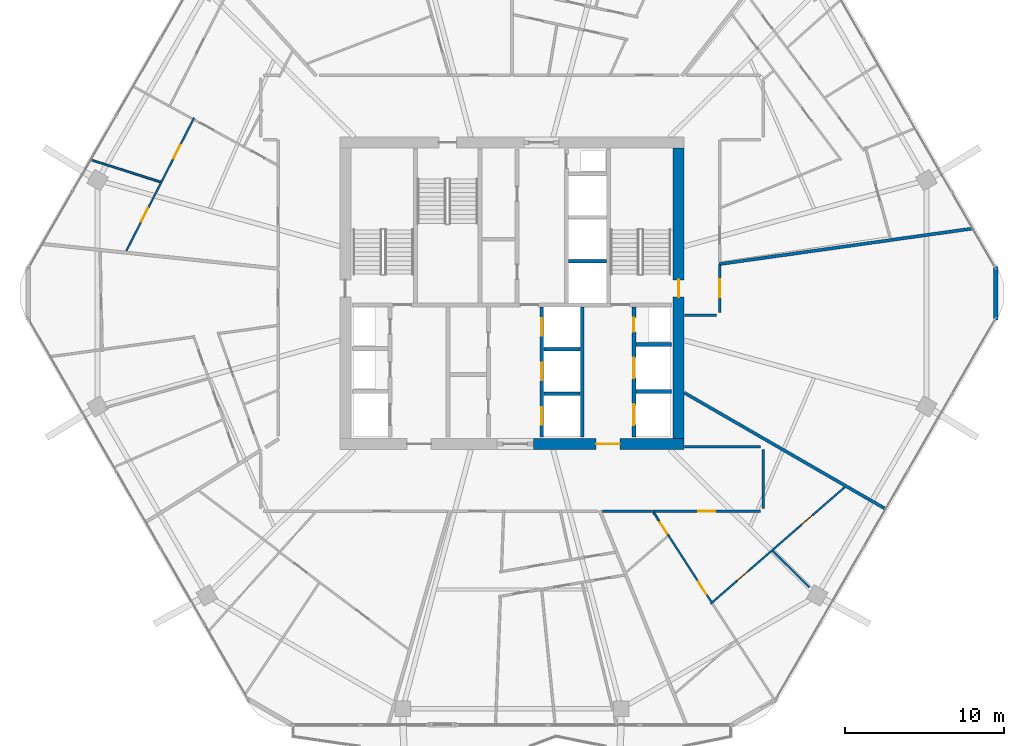
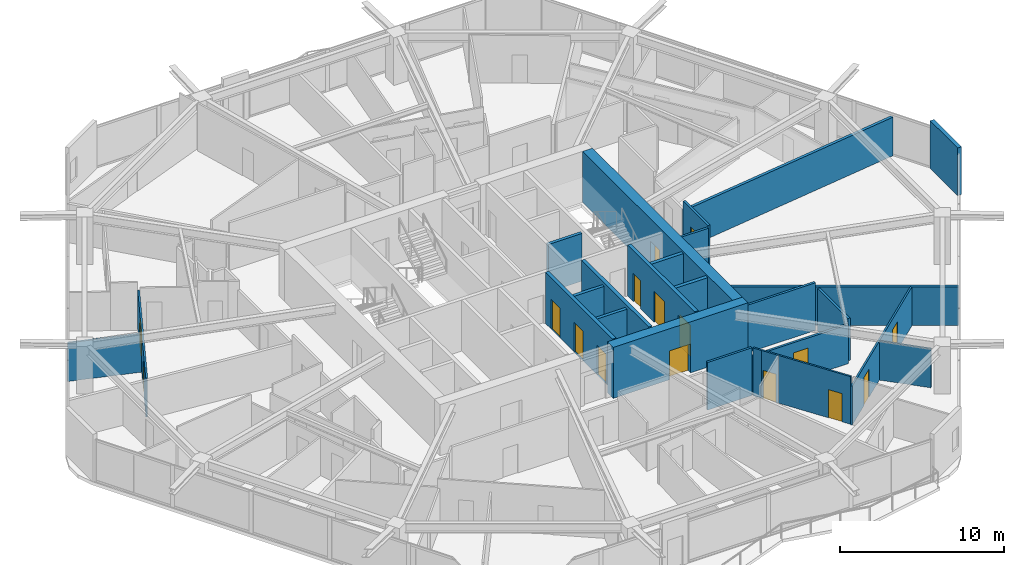
# One storey, part 19 of 25: 26 walls, 16 doors, 16 openings.
"""IFC4 building model written with IfcOpenShell, lengths in metres."""

from ifc_helpers import new_model, si_unit, direction, frame, frame_2d, origin, place, context, subcontext, project, spatial, rectangle, extrude, material, layer, layer_set, type_object, element, fill, save


model = new_model("IFC4")

# Units and contexts
model_context = context("Model", 3, precision=1e-05, world=origin(), true_north=direction((0.0, 1.0)))
body_context = subcontext(model_context, "Body", "Model", "MODEL_VIEW")
ifc_project = project(units=[si_unit("LENGTHUNIT", "METRE"), si_unit("AREAUNIT", "SQUARE_METRE"), si_unit("VOLUMEUNIT", "CUBIC_METRE"), si_unit("PLANEANGLEUNIT", "RADIAN"), si_unit("MASSUNIT", "GRAM", prefix="KILO")], contexts=[model_context])

# Site, building, storey
site_placement = place(None, origin())
site = spatial("IfcSite", under=ifc_project, at=site_placement, CompositionType="ELEMENT")
building_placement = place(site_placement, origin())
building = spatial("IfcBuilding", under=site, at=building_placement, Name="Zuhravey Tower", CompositionType="ELEMENT")
storey_placement = place(building_placement, frame((0.0, 0.0, 150.39990234375)))
storey = spatial("IfcBuildingStorey", under=building, at=storey_placement, Name="L37", CompositionType="ELEMENT", Elevation=150.39990234375)

# Wall, opening, door
ifc_material_1 = material(Name="Concrete C60/75", Category="concrete")
ifc_layer_1 = layer(ifc_material_1, 0.699951171875)
ifc_layer_set_1 = layer_set([ifc_layer_1], Name="Concrete C60/75")
wall_type_1 = type_object("IfcWallType", Name="Core Shear Wall 700", PredefinedType="SHEAR", material=ifc_layer_set_1)
wall_1_placement = place(storey_placement, frame((37.35009765625, 22.5, 0.0), z_axis=(0.0, 0.0, 1.0), x_axis=(1.0, 0.0, 0.0)))
wall_1 = element("IfcWall", 1, at=wall_1_placement, inside=storey, type_object=wall_type_1, Name="L37 South-East Core Shear Wall CW70", PredefinedType="SHEAR", context=body_context, shape_type="SweptSolid", body=[
    extrude(rectangle(XDim=9.5, YDim=0.699951171875, at=frame_2d((4.75, 0.0))), origin(), (0.0, 0.0, 1.0), 3.800048828125),
])
opening_1_placement = place(wall_1_placement, frame((3.949951171875, 0.0, 0.0)))
opening_1 = element("IfcOpeningElement", 2, at=opening_1_placement, cuts=wall_1, Name="Opening FFD1", PredefinedType="OPENING", context=body_context, shape_type="SweptSolid", body=[
    extrude(rectangle(XDim=1.5, YDim=2.14990234375, at=frame_2d((0.75, 1.074951171875))), frame((0.0, 0.362060546875, 0.0), z_axis=(0.0, -1.0, 0.0), x_axis=(1.0, 0.0, 0.0)), (0.0, 0.0, 1.0), 0.723876953125),
])
ifc_material_2 = material(Name="Galvanised fire-rated steel leaf", Category="steel")
door_type_1 = type_object("IfcDoorType", Name="Firefighting Lobby Double Door 1500x2150", OperationType="DOUBLE_DOOR_SINGLE_SWING", PredefinedType="DOOR", material=ifc_material_2)
door_1_placement = place(opening_1_placement, origin())
door_1 = element("IfcDoor", 3, at=door_1_placement, inside=storey, type_object=door_type_1, Name="L37 Firefighting Lobby East Door", OperationType="DOUBLE_DOOR_SINGLE_SWING", OverallHeight=2.14990234375, OverallWidth=1.5, PredefinedType="DOOR", context=body_context, shape_type="SweptSolid", body=[
    extrude(rectangle(XDim=1.5, YDim=2.14990234375, at=frame_2d((0.75, 1.074951171875))), frame((0.0, 0.02490234375, 0.0), z_axis=(0.0, -1.0, 0.0), x_axis=(1.0, 0.0, 0.0)), (0.0, 0.0, 1.0), 0.050048828125),
])
fill(opening_1, door_1)

wall_2_placement = place(storey_placement, frame((46.5, 22.85009765625, 0.0), z_axis=(0.0, 0.0, 1.0), x_axis=(0.0, 1.0, 0.0)))
wall_2 = element("IfcWall", 4, at=wall_2_placement, inside=storey, type_object=wall_type_1, Name="L37 East Core Shear Wall CW70", PredefinedType="SHEAR", context=body_context, shape_type="SweptSolid", body=[
    extrude(rectangle(XDim=18.2998046875, YDim=0.699951171875, at=frame_2d((9.14990234375, 0.0))), origin(), (0.0, 0.0, 1.0), 3.800048828125),
])
opening_2_placement = place(wall_2_placement, frame((8.89990234375, 0.0, 0.0)))
opening_2 = element("IfcOpeningElement", 5, at=opening_2_placement, cuts=wall_2, Name="Opening STD1", PredefinedType="OPENING", context=body_context, shape_type="SweptSolid", body=[
    extrude(rectangle(XDim=1.10009765625, YDim=2.14990234375, at=frame_2d((0.550048828125, 1.074951171875))), frame((0.0, 0.362060546875, 0.0), z_axis=(0.0, -1.0, 0.0), x_axis=(1.0, 0.0, 0.0)), (0.0, 0.0, 1.0), 0.723876953125),
])
door_type_2 = type_object("IfcDoorType", Name="Protected Stair Fire Door 1100x2150", OperationType="NOTDEFINED", PredefinedType="USERDEFINED", material=ifc_material_2)
door_2_placement = place(opening_2_placement, origin())
door_2 = element("IfcDoor", 6, at=door_2_placement, inside=storey, type_object=door_type_2, Name="L37 Stair ST2 Door", ObjectType="EXITDOOR", OperationType="SINGLE_SWING_RIGHT", OverallHeight=2.14990234375, OverallWidth=1.10009765625, PredefinedType="USERDEFINED", context=body_context, shape_type="SweptSolid", body=[
    extrude(rectangle(XDim=1.10009765625, YDim=2.14990234375, at=frame_2d((0.550048828125, 1.074951171875))), frame((0.0, 0.02490234375, 0.0), z_axis=(0.0, -1.0, 0.0), x_axis=(1.0, 0.0, 0.0)), (0.0, 0.0, 1.0), 0.050048828125),
])
fill(opening_2, door_2)

ifc_material_3 = material(Name="Gypsum fire-rated stud partition")
ifc_layer_2 = layer(ifc_material_3, 0.159912109375)
ifc_layer_set_2 = layer_set([ifc_layer_2], Name="Gypsum fire-rated stud partition")
wall_type_2 = type_object("IfcWallType", Name="Corridor Fire Partition 160", PredefinedType="PARTITIONING", material=ifc_layer_set_2)
wall_3_placement = place(storey_placement, frame((44.892578125, 18.27001953125, 0.0), z_axis=(0.0, 0.0, 1.0), x_axis=(1.0, 0.0, 0.0)))
wall_3 = element("IfcWall", 7, at=wall_3_placement, inside=storey, type_object=wall_type_2, Name="L37 IW16 Partition 054", PredefinedType="PARTITIONING", context=body_context, shape_type="SweptSolid", body=[
    extrude(rectangle(XDim=6.75732421875, YDim=0.159912109375, at=frame_2d((3.378662109375, 0.0))), origin(), (0.0, 0.0, 1.0), 2.900146484375),
])
opening_3_placement = place(wall_3_placement, frame((2.853759765625, 0.0, 0.0)))
opening_3 = element("IfcOpeningElement", 8, at=opening_3_placement, cuts=wall_3, Name="Opening APD1", PredefinedType="OPENING", context=body_context, shape_type="SweptSolid", body=[
    extrude(rectangle(XDim=1.050048828125, YDim=2.14990234375, at=frame_2d((0.52490234375, 1.074951171875))), frame((0.0, 0.092041015625, 0.0), z_axis=(0.0, -1.0, 0.0), x_axis=(1.0, 0.0, 0.0)), (0.0, 0.0, 1.0), 0.183837890625),
])
ifc_material_4 = material(Name="Solid-core oak fire-rated leaf")
door_type_3 = type_object("IfcDoorType", Name="Apartment Entrance Fire Door 1050x2150", OperationType="NOTDEFINED", PredefinedType="DOOR", material=ifc_material_4)
door_3_placement = place(opening_3_placement, origin())
door_3 = element("IfcDoor", 9, at=door_3_placement, inside=storey, type_object=door_type_3, Name="L37 Door 054.1", OperationType="SINGLE_SWING_RIGHT", OverallHeight=2.14990234375, OverallWidth=1.050048828125, PredefinedType="DOOR", context=body_context, shape_type="SweptSolid", body=[
    extrude(rectangle(XDim=1.050048828125, YDim=2.14990234375, at=frame_2d((0.52490234375, 1.074951171875))), frame((0.0, 0.02490234375, 0.0), z_axis=(0.0, -1.0, 0.0), x_axis=(1.0, 0.0, 0.0)), (0.0, 0.0, 1.0), 0.050048828125),
])
fill(opening_3, door_3)

wall_4_placement = place(storey_placement, frame((49.080078125, 30.800048828125, 0.0), z_axis=(0.0, 0.0, 1.0), x_axis=(0.0, 1.0, 0.0)))
wall_4 = element("IfcWall", 10, at=wall_4_placement, inside=storey, type_object=wall_type_2, Name="L37 IW16 Partition 055", PredefinedType="PARTITIONING", context=body_context, shape_type="SweptSolid", body=[
    extrude(rectangle(XDim=3.01806640625, YDim=0.159912109375, at=frame_2d((1.509033203125, 0.0))), origin(), (0.0, 0.0, 1.0), 3.550048828125),
])
opening_4_placement = place(wall_4_placement, frame((0.93408203125, 0.0, 0.0)))
opening_4 = element("IfcOpeningElement", 11, at=opening_4_placement, cuts=wall_4, Name="Opening CLD1", PredefinedType="OPENING", context=body_context, shape_type="SweptSolid", body=[
    extrude(rectangle(XDim=1.14990234375, YDim=2.199951171875, at=frame_2d((0.574951171875, 1.10009765625))), frame((0.0, 0.092041015625, 0.0), z_axis=(0.0, -1.0, 0.0), x_axis=(1.0, 0.0, 0.0)), (0.0, 0.0, 1.0), 0.183837890625),
])
ifc_material_5 = material(Name="Acoustic timber leaf with vision lite", Category="wood")
door_type_4 = type_object("IfcDoorType", Name="Classroom Acoustic Door 1150x2200", OperationType="NOTDEFINED", PredefinedType="DOOR", material=ifc_material_5)
door_4_placement = place(opening_4_placement, frame((1.14990234375, 0.0, 0.0), z_axis=(0.0, 0.0, 1.0), x_axis=(-1.0, 0.0, 0.0)))
door_4 = element("IfcDoor", 12, at=door_4_placement, inside=storey, type_object=door_type_4, Name="L37 Door 055.1", OperationType="SINGLE_SWING_LEFT", OverallHeight=2.199951171875, OverallWidth=1.14990234375, PredefinedType="DOOR", context=body_context, shape_type="SweptSolid", body=[
    extrude(rectangle(XDim=1.14990234375, YDim=2.199951171875, at=frame_2d((0.574951171875, 1.10009765625))), frame((0.0, 0.02490234375, 0.0), z_axis=(0.0, -1.0, 0.0), x_axis=(1.0, 0.0, 0.0)), (0.0, 0.0, 1.0), 0.050048828125),
])
fill(opening_4, door_4)

# Walls
wall_5_placement = place(storey_placement, frame((51.64990234375, 22.330078125, 0.0), z_axis=(0.0, 0.0, 1.0), x_axis=(-1.0, 0.0, 0.0)))
element("IfcWall", 13, at=wall_5_placement, inside=storey, type_object=wall_type_2, Name="L37 IW16 Partition 129", PredefinedType="PARTITIONING", context=body_context, shape_type="SweptSolid", body=[
    extrude(rectangle(XDim=4.77978515625, YDim=0.159912109375, at=frame_2d((2.389892578125, 0.0))), origin(), (0.0, 0.0, 1.0), 3.550048828125),
])
wall_6_placement = place(storey_placement, frame((51.830078125, 18.449951171875, 0.0), z_axis=(0.0, 0.0, 1.0), x_axis=(0.0, 1.0, 0.0)))
element("IfcWall", 14, at=wall_6_placement, inside=storey, type_object=wall_type_2, Name="L37 IW16 Partition 130", PredefinedType="PARTITIONING", context=body_context, shape_type="SweptSolid", body=[
    extrude(rectangle(XDim=3.699951171875, YDim=0.159912109375, at=frame_2d((1.85009765625, 0.0))), origin(), (0.0, 0.0, 1.0), 3.150146484375),
])
wall_7_placement = place(storey_placement, frame((41.708740234375, 18.27001953125, 0.0), z_axis=(0.0, 0.0, 1.0), x_axis=(1.0, 0.0, 0.0)))
element("IfcWall", 15, at=wall_7_placement, inside=storey, type_object=wall_type_2, Name="L37 IW16 Partition 131", PredefinedType="PARTITIONING", context=body_context, shape_type="SweptSolid", body=[
    extrude(rectangle(XDim=3.13623046875, YDim=0.159912109375, at=frame_2d((1.568115234375, 0.0))), origin(), (0.0, 0.0, 1.0), 3.550048828125),
])
wall_8_placement = place(storey_placement, frame((46.8701171875, 30.6201171875, 0.0), z_axis=(0.0, 0.0, 1.0), x_axis=(1.0, 0.0, 0.0)))
element("IfcWall", 16, at=wall_8_placement, inside=storey, type_object=wall_type_2, Name="L37 IW16 Partition 132", PredefinedType="PARTITIONING", context=body_context, shape_type="SweptSolid", body=[
    extrude(rectangle(XDim=2.02978515625, YDim=0.159912109375, at=frame_2d((1.014892578125, 0.0))), origin(), (0.0, 0.0, 1.0), 3.550048828125),
])
ifc_material_6 = material(Name="Precast concrete C40/50", Category="concrete")
ifc_layer_3 = layer(ifc_material_6, 0.280029296875)
ifc_layer_set_3 = layer_set([ifc_layer_3], Name="Precast concrete C40/50")
wall_type_3 = type_object("IfcWallType", Name="Crown Architectural Wall 280", PredefinedType="SOLIDWALL", material=ifc_layer_set_3)
wall_9_placement = place(storey_placement, frame((66.4716796875, 33.6826171875, 0.0), z_axis=(0.0, 0.0, 1.0), x_axis=(0.0, -1.0, 0.0)))
element("IfcWall", 17, at=wall_9_placement, inside=storey, type_object=wall_type_3, Name="L37 Rounded Corner Closure Wall EW28-12", PredefinedType="SOLIDWALL", context=body_context, shape_type="SweptSolid", body=[
    extrude(rectangle(XDim=3.365234375, YDim=0.280029296875, at=frame_2d((1.6826171875, 0.0))), origin(), (0.0, 0.0, 1.0), 3.550048828125),
])

# Wall, openings, doors
ifc_material_7 = material(Name="Concrete C50/60", Category="concrete")
ifc_layer_4 = layer(ifc_material_7, 0.25)
ifc_layer_set_4 = layer_set([ifc_layer_4], Name="Concrete C50/60")
wall_type_4 = type_object("IfcWallType", Name="Firefighting Shaft & Stair Wall 250", PredefinedType="SOLIDWALL", material=ifc_layer_set_4)
wall_10_placement = place(storey_placement, frame((37.875, 22.949951171875, 0.0), z_axis=(0.0, 0.0, 1.0), x_axis=(0.0, 1.0, 0.0)))
wall_10 = element("IfcWall", 18, at=wall_10_placement, inside=storey, type_object=wall_type_4, Name="L37 FW25 Shaft Wall 015", PredefinedType="SOLIDWALL", context=body_context, shape_type="SweptSolid", body=[
    extrude(rectangle(XDim=8.199951171875, YDim=0.25, at=frame_2d((4.10009765625, 0.0))), origin(), (0.0, 0.0, 1.0), 3.800048828125),
])
opening_5_placement = place(wall_10_placement, frame((0.77490234375, 0.0, 0.0)))
opening_5 = element("IfcOpeningElement", 19, at=opening_5_placement, cuts=wall_10, Name="Opening LD1", PredefinedType="OPENING", context=body_context, shape_type="SweptSolid", body=[
    extrude(rectangle(XDim=1.10009765625, YDim=2.199951171875, at=frame_2d((0.550048828125, 1.10009765625))), frame((0.0, 0.136962890625, 0.0), z_axis=(0.0, -1.0, 0.0), x_axis=(1.0, 0.0, 0.0)), (0.0, 0.0, 1.0), 0.27392578125),
])
opening_6_placement = place(wall_10_placement, frame((3.574951171875, 0.0, 0.0)))
opening_6 = element("IfcOpeningElement", 20, at=opening_6_placement, cuts=wall_10, Name="Opening LD1", PredefinedType="OPENING", context=body_context, shape_type="SweptSolid", body=[
    extrude(rectangle(XDim=1.10009765625, YDim=2.199951171875, at=frame_2d((0.550048828125, 1.10009765625))), frame((0.0, 0.136962890625, 0.0), z_axis=(0.0, -1.0, 0.0), x_axis=(1.0, 0.0, 0.0)), (0.0, 0.0, 1.0), 0.27392578125),
])
opening_7_placement = place(wall_10_placement, frame((6.375, 0.0, 0.0)))
opening_7 = element("IfcOpeningElement", 21, at=opening_7_placement, cuts=wall_10, Name="Opening LD1", PredefinedType="OPENING", context=body_context, shape_type="SweptSolid", body=[
    extrude(rectangle(XDim=1.10009765625, YDim=2.199951171875, at=frame_2d((0.550048828125, 1.10009765625))), frame((0.0, 0.136962890625, 0.0), z_axis=(0.0, -1.0, 0.0), x_axis=(1.0, 0.0, 0.0)), (0.0, 0.0, 1.0), 0.27392578125),
])
ifc_material_8 = material(Name="Brushed stainless steel", Category="steel")
door_type_5 = type_object("IfcDoorType", Name="Lift Landing Sliding Door 1100x2200", OperationType="DOUBLE_DOOR_SLIDING", PredefinedType="DOOR", material=ifc_material_8)
door_5_placement = place(opening_5_placement, origin())
door_5 = element("IfcDoor", 22, at=door_5_placement, inside=storey, type_object=door_type_5, Name="L37 Lift PL4 Landing Door", OperationType="DOUBLE_DOOR_SLIDING", OverallHeight=2.199951171875, OverallWidth=1.10009765625, PredefinedType="DOOR", context=body_context, shape_type="SweptSolid", body=[
    extrude(rectangle(XDim=1.10009765625, YDim=2.199951171875, at=frame_2d((0.550048828125, 1.10009765625))), frame((0.0, 0.02490234375, 0.0), z_axis=(0.0, -1.0, 0.0), x_axis=(1.0, 0.0, 0.0)), (0.0, 0.0, 1.0), 0.050048828125),
])
fill(opening_5, door_5)
door_6_placement = place(opening_6_placement, origin())
door_6 = element("IfcDoor", 23, at=door_6_placement, inside=storey, type_object=door_type_5, Name="L37 Lift PL5 Landing Door", OperationType="DOUBLE_DOOR_SLIDING", OverallHeight=2.199951171875, OverallWidth=1.10009765625, PredefinedType="DOOR", context=body_context, shape_type="SweptSolid", body=[
    extrude(rectangle(XDim=1.10009765625, YDim=2.199951171875, at=frame_2d((0.550048828125, 1.10009765625))), frame((0.0, 0.02490234375, 0.0), z_axis=(0.0, -1.0, 0.0), x_axis=(1.0, 0.0, 0.0)), (0.0, 0.0, 1.0), 0.050048828125),
])
fill(opening_6, door_6)
door_7_placement = place(opening_7_placement, origin())
door_7 = element("IfcDoor", 24, at=door_7_placement, inside=storey, type_object=door_type_5, Name="L37 Lift PL6 Landing Door", OperationType="DOUBLE_DOOR_SLIDING", OverallHeight=2.199951171875, OverallWidth=1.10009765625, PredefinedType="DOOR", context=body_context, shape_type="SweptSolid", body=[
    extrude(rectangle(XDim=1.10009765625, YDim=2.199951171875, at=frame_2d((0.550048828125, 1.10009765625))), frame((0.0, 0.02490234375, 0.0), z_axis=(0.0, -1.0, 0.0), x_axis=(1.0, 0.0, 0.0)), (0.0, 0.0, 1.0), 0.050048828125),
])
fill(opening_7, door_7)

# Walls
wall_11_placement = place(storey_placement, frame((40.425048828125, 22.949951171875, 0.0), z_axis=(0.0, 0.0, 1.0), x_axis=(0.0, 1.0, 0.0)))
element("IfcWall", 25, at=wall_11_placement, inside=storey, type_object=wall_type_4, Name="L37 FW25 Shaft Wall 016", PredefinedType="SOLIDWALL", context=body_context, shape_type="SweptSolid", body=[
    extrude(rectangle(XDim=8.199951171875, YDim=0.25, at=frame_2d((4.10009765625, 0.0))), origin(), (0.0, 0.0, 1.0), 3.800048828125),
])
for number, where, z_axis, x_axis, name in (
    (26, (43.800048828125, 25.824951171875, 0.0), (0.0, 0.0, 1.0), (1.0, 0.0, 0.0), "L37 FW25 Shaft Wall 017"),
    (27, (43.800048828125, 28.77490234375, 0.0), (0.0, 0.0, 1.0), (1.0, 0.0, 0.0), "L37 FW25 Shaft Wall 018"),
):
    element("IfcWall", number, at=place(storey_placement, frame(where, z_axis=z_axis, x_axis=x_axis)), inside=storey, type_object=wall_type_4, Name=name, PredefinedType="SOLIDWALL", context=body_context, shape_type="SweptSolid", body=[
        extrude(rectangle(XDim=2.25, YDim=0.25, at=frame_2d((1.125, 0.0))), origin(), (0.0, 0.0, 1.0), 3.800048828125),
    ])

# Wall, openings, doors
wall_12_placement = place(storey_placement, frame((43.675048828125, 22.949951171875, 0.0), z_axis=(0.0, 0.0, 1.0), x_axis=(0.0, 1.0, 0.0)))
wall_12 = element("IfcWall", 28, at=wall_12_placement, inside=storey, type_object=wall_type_4, Name="L37 FW25 Shaft Wall 019", PredefinedType="SOLIDWALL", context=body_context, shape_type="SweptSolid", body=[
    extrude(rectangle(XDim=8.199951171875, YDim=0.25, at=frame_2d((4.10009765625, 0.0))), origin(), (0.0, 0.0, 1.0), 3.800048828125),
])
opening_8_placement = place(wall_12_placement, frame((0.75, 0.0, 0.0)))
opening_8 = element("IfcOpeningElement", 29, at=opening_8_placement, cuts=wall_12, Name="Opening LD2", PredefinedType="OPENING", context=body_context, shape_type="SweptSolid", body=[
    extrude(rectangle(XDim=1.300048828125, YDim=2.300048828125, at=frame_2d((0.64990234375, 1.14990234375))), frame((0.0, 0.136962890625, 0.0), z_axis=(0.0, -1.0, 0.0), x_axis=(1.0, 0.0, 0.0)), (0.0, 0.0, 1.0), 0.27392578125),
])
opening_9_placement = place(wall_12_placement, frame((3.699951171875, 0.0, 0.0)))
opening_9 = element("IfcOpeningElement", 30, at=opening_9_placement, cuts=wall_12, Name="Opening LD2", PredefinedType="OPENING", context=body_context, shape_type="SweptSolid", body=[
    extrude(rectangle(XDim=1.300048828125, YDim=2.300048828125, at=frame_2d((0.64990234375, 1.14990234375))), frame((0.0, 0.136962890625, 0.0), z_axis=(0.0, -1.0, 0.0), x_axis=(1.0, 0.0, 0.0)), (0.0, 0.0, 1.0), 0.27392578125),
])
opening_10_placement = place(wall_12_placement, frame((6.6201171875, 0.0, 0.0)))
opening_10 = element("IfcOpeningElement", 31, at=opening_10_placement, cuts=wall_12, Name="Opening RSD1", PredefinedType="OPENING", context=body_context, shape_type="SweptSolid", body=[
    extrude(rectangle(XDim=0.89990234375, YDim=2.10009765625, at=frame_2d((0.449951171875, 1.050048828125))), frame((0.0, 0.136962890625, 0.0), z_axis=(0.0, -1.0, 0.0), x_axis=(1.0, 0.0, 0.0)), (0.0, 0.0, 1.0), 0.27392578125),
])
door_type_6 = type_object("IfcDoorType", Name="Freight & Stretcher Lift Sliding Door 1300x2300", OperationType="DOUBLE_DOOR_SLIDING", PredefinedType="DOOR", material=ifc_material_8)
door_8_placement = place(opening_8_placement, origin())
door_8 = element("IfcDoor", 32, at=door_8_placement, inside=storey, type_object=door_type_6, Name="L37 Lift FF2 Landing Door", OperationType="DOUBLE_DOOR_SLIDING", OverallHeight=2.300048828125, OverallWidth=1.300048828125, PredefinedType="DOOR", context=body_context, shape_type="SweptSolid", body=[
    extrude(rectangle(XDim=1.300048828125, YDim=2.300048828125, at=frame_2d((0.64990234375, 1.14990234375))), frame((0.0, 0.02490234375, 0.0), z_axis=(0.0, -1.0, 0.0), x_axis=(1.0, 0.0, 0.0)), (0.0, 0.0, 1.0), 0.050048828125),
])
fill(opening_8, door_8)
door_9_placement = place(opening_9_placement, origin())
door_9 = element("IfcDoor", 33, at=door_9_placement, inside=storey, type_object=door_type_6, Name="L37 Lift SV1 Landing Door", OperationType="DOUBLE_DOOR_SLIDING", OverallHeight=2.300048828125, OverallWidth=1.300048828125, PredefinedType="DOOR", context=body_context, shape_type="SweptSolid", body=[
    extrude(rectangle(XDim=1.300048828125, YDim=2.300048828125, at=frame_2d((0.64990234375, 1.14990234375))), frame((0.0, 0.02490234375, 0.0), z_axis=(0.0, -1.0, 0.0), x_axis=(1.0, 0.0, 0.0)), (0.0, 0.0, 1.0), 0.050048828125),
])
fill(opening_9, door_9)
ifc_material_9 = material(Name="Galvanised fire-rated steel access leaf", Category="steel")
door_type_7 = type_object("IfcDoorType", Name="Riser & Shaft Access Fire Door 900x2100", OperationType="NOTDEFINED", PredefinedType="DOOR", material=ifc_material_9)
door_10_placement = place(opening_10_placement, origin())
door_10 = element("IfcDoor", 34, at=door_10_placement, inside=storey, type_object=door_type_7, Name="L37 Plumbing Riser Door", OperationType="SINGLE_SWING_RIGHT", OverallHeight=2.10009765625, OverallWidth=0.89990234375, PredefinedType="DOOR", context=body_context, shape_type="SweptSolid", body=[
    extrude(rectangle(XDim=0.89990234375, YDim=2.10009765625, at=frame_2d((0.449951171875, 1.050048828125))), frame((0.0, 0.02490234375, 0.0), z_axis=(0.0, -1.0, 0.0), x_axis=(1.0, 0.0, 0.0)), (0.0, 0.0, 1.0), 0.050048828125),
])
fill(opening_10, door_10)

# Walls
ifc_material_10 = material(Name="Gypsum double-stud party assembly")
ifc_layer_5 = layer(ifc_material_10, 0.199951171875)
ifc_layer_set_5 = layer_set([ifc_layer_5], Name="Gypsum double-stud party assembly")
wall_type_5 = type_object("IfcWallType", Name="Inter-Tenancy Party Wall 200", PredefinedType="PARTITIONING", material=ifc_layer_set_5)
wall_13_placement = place(storey_placement, frame((49.0400390625, 33.832763671875, 0.0), z_axis=(0.0, 0.0, 1.0), x_axis=(0.990268626923, 0.139169129232, 0.0)))
element("IfcWall", 35, at=wall_13_placement, inside=storey, type_object=wall_type_5, Name="L37 IW20 Partition 062", PredefinedType="PARTITIONING", context=body_context, shape_type="SweptSolid", body=[
    extrude(rectangle(XDim=16.14990234375, YDim=0.199951171875, at=frame_2d((8.074951171875, 0.0))), origin(), (0.0, 0.0, 1.0), 2.8701171875),
])
wall_14_placement = place(storey_placement, frame((46.85791015625, 25.731201171875, 0.0), z_axis=(0.0, 0.0, 1.0), x_axis=(0.866024853997, -0.500000952259, 0.0)))
element("IfcWall", 36, at=wall_14_placement, inside=storey, type_object=wall_type_5, Name="L37 IW20 Partition 110", PredefinedType="PARTITIONING", context=body_context, shape_type="SweptSolid", body=[
    extrude(rectangle(XDim=14.6455078125, YDim=0.199951171875, at=frame_2d((7.32275390625, 0.0))), origin(), (0.0, 0.0, 1.0), 2.8701171875),
])
ifc_material_11 = material(Name="Gypsum acoustic stud assembly")
ifc_layer_6 = layer(ifc_material_11, 0.219970703125)
ifc_layer_set_6 = layer_set([ifc_layer_6], Name="Gypsum acoustic stud assembly")
wall_type_6 = type_object("IfcWallType", Name="School Acoustic Compartment Wall 220", PredefinedType="PARTITIONING", material=ifc_layer_set_6)
wall_15_placement = place(storey_placement, frame((39.55810546875, 34.02490234375, 0.0), z_axis=(0.0, 0.0, 1.0), x_axis=(1.0, 0.0, 0.0)))
element("IfcWall", 37, at=wall_15_placement, inside=storey, type_object=wall_type_6, Name="L37 IW22 Partition 057", PredefinedType="PARTITIONING", context=body_context, shape_type="SweptSolid", body=[
    extrude(rectangle(XDim=2.3837890625, YDim=0.219970703125, at=frame_2d((1.19189453125, 0.0))), origin(), (0.0, 0.0, 1.0), 3.550048828125),
])
for number, where, z_axis, x_axis, name in (
    (38, (38.008056640625, 25.675048828125, 0.0), (0.0, 0.0, 1.0), (1.0, 0.0, 0.0), "L37 IW22 Partition 060"),
    (39, (38.008056640625, 28.47509765625, 0.0), (0.0, 0.0, 1.0), (1.0, 0.0, 0.0), "L37 IW22 Partition 061"),
):
    element("IfcWall", number, at=place(storey_placement, frame(where, z_axis=z_axis, x_axis=x_axis)), inside=storey, type_object=wall_type_6, Name=name, PredefinedType="PARTITIONING", context=body_context, shape_type="SweptSolid", body=[
        extrude(rectangle(XDim=2.283935546875, YDim=0.219970703125, at=frame_2d((1.14208984375, 0.0))), origin(), (0.0, 0.0, 1.0), 3.550048828125),
    ])

# Wall, openings, doors
ifc_material_12 = material(Name="Gypsum metal-stud partition")
ifc_layer_7 = layer(ifc_material_12, 0.1201171875)
ifc_layer_set_7 = layer_set([ifc_layer_7], Name="Gypsum metal-stud partition")
wall_type_7 = type_object("IfcWallType", Name="Unit Internal Partition 120", PredefinedType="PARTITIONING", material=ifc_layer_set_7)
wall_16_placement = place(storey_placement, frame((15.97119140625, 43.05224609375, 0.0), z_axis=(0.0, 0.0, 1.0), x_axis=(-0.453998461699, -0.891002467323, 0.0)))
wall_16 = element("IfcWall", 40, at=wall_16_placement, inside=storey, type_object=wall_type_7, Name="L37 IW12 Partition 032", PredefinedType="PARTITIONING", context=body_context, shape_type="SweptSolid", body=[
    extrude(rectangle(XDim=9.40966796875, YDim=0.1201171875, at=frame_2d((4.704833984375, 0.0))), origin(), (0.0, 0.0, 1.0), 2.900146484375),
])
opening_11_placement = place(wall_16_placement, frame((1.922607421875, 0.0, 0.0)))
opening_11 = element("IfcOpeningElement", 41, at=opening_11_placement, cuts=wall_16, Name="Opening IND1", PredefinedType="OPENING", context=body_context, shape_type="SweptSolid", body=[
    extrude(rectangle(XDim=0.949951171875, YDim=2.10009765625, at=frame_2d((0.47509765625, 1.050048828125))), frame((0.0, 0.072021484375, 0.0), z_axis=(0.0, -1.0, 0.0), x_axis=(1.0, 0.0, 0.0)), (0.0, 0.0, 1.0), 0.14404296875),
])
opening_12_placement = place(wall_16_placement, frame((6.385986328125, 0.0, 0.0)))
opening_12 = element("IfcOpeningElement", 42, at=opening_12_placement, cuts=wall_16, Name="Opening IND1", PredefinedType="OPENING", context=body_context, shape_type="SweptSolid", body=[
    extrude(rectangle(XDim=0.949951171875, YDim=2.10009765625, at=frame_2d((0.47509765625, 1.050048828125))), frame((0.0, 0.072021484375, 0.0), z_axis=(0.0, -1.0, 0.0), x_axis=(1.0, 0.0, 0.0)), (0.0, 0.0, 1.0), 0.14404296875),
])
ifc_material_13 = material(Name="Painted engineered timber leaf", Category="wood")
door_type_8 = type_object("IfcDoorType", Name="Internal Room & Bedroom Door 950x2100", OperationType="NOTDEFINED", PredefinedType="DOOR", material=ifc_material_13)
door_11_placement = place(opening_11_placement, frame((0.949951171875, 0.0, 0.0), z_axis=(0.0, 0.0, 1.0), x_axis=(-1.0, 0.0, 0.0)))
door_11 = element("IfcDoor", 43, at=door_11_placement, inside=storey, type_object=door_type_8, Name="Apartment L37-04 Family Study Door", OperationType="SINGLE_SWING_LEFT", OverallHeight=2.10009765625, OverallWidth=0.949951171875, PredefinedType="DOOR", context=body_context, shape_type="SweptSolid", body=[
    extrude(rectangle(XDim=0.949951171875, YDim=2.10009765625, at=frame_2d((0.47509765625, 1.050048828125))), frame((0.0, 0.02490234375, 0.0), z_axis=(0.0, -1.0, 0.0), x_axis=(1.0, 0.0, 0.0)), (0.0, 0.0, 1.0), 0.050048828125),
])
fill(opening_11, door_11)
door_12_placement = place(opening_12_placement, frame((0.949951171875, 0.0, 0.0), z_axis=(0.0, 0.0, 1.0), x_axis=(-1.0, 0.0, 0.0)))
door_12 = element("IfcDoor", 44, at=door_12_placement, inside=storey, type_object=door_type_8, Name="Apartment L37-04 Dining Room Door", OperationType="SINGLE_SWING_RIGHT", OverallHeight=2.10009765625, OverallWidth=0.949951171875, PredefinedType="DOOR", context=body_context, shape_type="SweptSolid", body=[
    extrude(rectangle(XDim=0.949951171875, YDim=2.10009765625, at=frame_2d((0.47509765625, 1.050048828125))), frame((0.0, 0.02490234375, 0.0), z_axis=(0.0, -1.0, 0.0), x_axis=(1.0, 0.0, 0.0)), (0.0, 0.0, 1.0), 0.050048828125),
])
fill(opening_12, door_12)

wall_17_placement = place(storey_placement, frame((48.5166015625, 12.4384765625, 0.0), z_axis=(0.0, 0.0, 1.0), x_axis=(0.754704710889, 0.656064630476, 0.0)))
wall_17 = element("IfcWall", 45, at=wall_17_placement, inside=storey, type_object=wall_type_7, Name="L37 IW12 Partition 049", PredefinedType="PARTITIONING", context=body_context, shape_type="SweptSolid", body=[
    extrude(rectangle(XDim=11.179931640625, YDim=0.1201171875, at=frame_2d((5.58984375, 0.0))), origin(), (0.0, 0.0, 1.0), 2.900146484375),
])
opening_13_placement = place(wall_17_placement, frame((2.2080078125, 0.0, 0.0)))
opening_13 = element("IfcOpeningElement", 46, at=opening_13_placement, cuts=wall_17, Name="Opening IND1", PredefinedType="OPENING", context=body_context, shape_type="SweptSolid", body=[
    extrude(rectangle(XDim=0.949951171875, YDim=2.10009765625, at=frame_2d((0.47509765625, 1.050048828125))), frame((0.0, 0.072021484375, 0.0), z_axis=(0.0, -1.0, 0.0), x_axis=(1.0, 0.0, 0.0)), (0.0, 0.0, 1.0), 0.14404296875),
])
opening_14_placement = place(wall_17_placement, frame((7.557861328125, 0.0, 0.0)))
opening_14 = element("IfcOpeningElement", 47, at=opening_14_placement, cuts=wall_17, Name="Opening IND1", PredefinedType="OPENING", context=body_context, shape_type="SweptSolid", body=[
    extrude(rectangle(XDim=0.949951171875, YDim=2.10009765625, at=frame_2d((0.47509765625, 1.050048828125))), frame((0.0, 0.072021484375, 0.0), z_axis=(0.0, -1.0, 0.0), x_axis=(1.0, 0.0, 0.0)), (0.0, 0.0, 1.0), 0.14404296875),
])
door_13_placement = place(opening_13_placement, frame((0.949951171875, 0.0, 0.0), z_axis=(0.0, 0.0, 1.0), x_axis=(-1.0, 0.0, 0.0)))
door_13 = element("IfcDoor", 48, at=door_13_placement, inside=storey, type_object=door_type_8, Name="Apartment L37-08 Family Study Door", OperationType="SINGLE_SWING_LEFT", OverallHeight=2.10009765625, OverallWidth=0.949951171875, PredefinedType="DOOR", context=body_context, shape_type="SweptSolid", body=[
    extrude(rectangle(XDim=0.949951171875, YDim=2.10009765625, at=frame_2d((0.47509765625, 1.050048828125))), frame((0.0, 0.02490234375, 0.0), z_axis=(0.0, -1.0, 0.0), x_axis=(1.0, 0.0, 0.0)), (0.0, 0.0, 1.0), 0.050048828125),
])
fill(opening_13, door_13)
door_14_placement = place(opening_14_placement, frame((0.949951171875, 0.0, 0.0), z_axis=(0.0, 0.0, 1.0), x_axis=(-1.0, 0.0, 0.0)))
door_14 = element("IfcDoor", 49, at=door_14_placement, inside=storey, type_object=door_type_8, Name="Apartment L37-08 Dining Room Door", OperationType="SINGLE_SWING_RIGHT", OverallHeight=2.10009765625, OverallWidth=0.949951171875, PredefinedType="DOOR", context=body_context, shape_type="SweptSolid", body=[
    extrude(rectangle(XDim=0.949951171875, YDim=2.10009765625, at=frame_2d((0.47509765625, 1.050048828125))), frame((0.0, 0.02490234375, 0.0), z_axis=(0.0, -1.0, 0.0), x_axis=(1.0, 0.0, 0.0)), (0.0, 0.0, 1.0), 0.050048828125),
])
fill(opening_14, door_14)

# Wall, opening, door
wall_18_placement = place(storey_placement, frame((45.23681640625, 17.699951171875, 0.0), z_axis=(0.0, 0.0, 1.0), x_axis=(0.542645136481, -0.839962056199, 0.0)))
wall_18 = element("IfcWall", 50, at=wall_18_placement, inside=storey, type_object=wall_type_7, Name="L37 IW12 Partition 050", PredefinedType="PARTITIONING", context=body_context, shape_type="SweptSolid", body=[
    extrude(rectangle(XDim=1.16943359375, YDim=0.1201171875, at=frame_2d((0.584716796875, 0.0))), origin(), (0.0, 0.0, 1.0), 3.550048828125),
])
opening_15_placement = place(wall_18_placement, frame((0.12109375, 0.0, 0.0)))
opening_15 = element("IfcOpeningElement", 51, at=opening_15_placement, cuts=wall_18, Name="Opening WCD1", PredefinedType="OPENING", context=body_context, shape_type="SweptSolid", body=[
    extrude(rectangle(XDim=0.89990234375, YDim=2.10009765625, at=frame_2d((0.449951171875, 1.050048828125))), frame((0.0, 0.072021484375, 0.0), z_axis=(0.0, -1.0, 0.0), x_axis=(1.0, 0.0, 0.0)), (0.0, 0.0, 1.0), 0.14404296875),
])
ifc_material_14 = material(Name="Moisture-resistant timber leaf", Category="wood")
door_type_9 = type_object("IfcDoorType", Name="Bathroom & WC Internal Door 900x2100", OperationType="NOTDEFINED", PredefinedType="DOOR", material=ifc_material_14)
door_15_placement = place(opening_15_placement, frame((0.89990234375, 0.0, 0.0), z_axis=(0.0, 0.0, 1.0), x_axis=(-1.0, 0.0, 0.0)))
door_15 = element("IfcDoor", 52, at=door_15_placement, inside=storey, type_object=door_type_9, Name="Apartment L37-08 Bathroom Door", OperationType="SINGLE_SWING_LEFT", OverallHeight=2.10009765625, OverallWidth=0.89990234375, PredefinedType="DOOR", context=body_context, shape_type="SweptSolid", body=[
    extrude(rectangle(XDim=0.89990234375, YDim=2.10009765625, at=frame_2d((0.449951171875, 1.050048828125))), frame((0.0, 0.02490234375, 0.0), z_axis=(0.0, -1.0, 0.0), x_axis=(1.0, 0.0, 0.0)), (0.0, 0.0, 1.0), 0.050048828125),
])
fill(opening_15, door_15)

wall_19_placement = place(storey_placement, frame((45.871337890625, 16.7177734375, 0.0), z_axis=(0.0, 0.0, 1.0), x_axis=(0.54259218167, -0.83999626451, 0.0)))
wall_19 = element("IfcWall", 53, at=wall_19_placement, inside=storey, type_object=wall_type_7, Name="L37 IW12 Partition 051", PredefinedType="PARTITIONING", context=body_context, shape_type="SweptSolid", body=[
    extrude(rectangle(XDim=4.94677734375, YDim=0.1201171875, at=frame_2d((2.473388671875, 0.0))), origin(), (0.0, 0.0, 1.0), 3.550048828125),
])
opening_16_placement = place(wall_19_placement, frame((3.431640625, 0.0, 0.0)))
opening_16 = element("IfcOpeningElement", 54, at=opening_16_placement, cuts=wall_19, Name="Opening IND1", PredefinedType="OPENING", context=body_context, shape_type="SweptSolid", body=[
    extrude(rectangle(XDim=0.949951171875, YDim=2.10009765625, at=frame_2d((0.47509765625, 1.050048828125))), frame((0.0, 0.072021484375, 0.0), z_axis=(0.0, -1.0, 0.0), x_axis=(1.0, 0.0, 0.0)), (0.0, 0.0, 1.0), 0.14404296875),
])
door_16_placement = place(opening_16_placement, frame((0.949951171875, 0.0, 0.0), z_axis=(0.0, 0.0, 1.0), x_axis=(-1.0, 0.0, 0.0)))
door_16 = element("IfcDoor", 55, at=door_16_placement, inside=storey, type_object=door_type_8, Name="Apartment L37-08 Home Office Door", OperationType="SINGLE_SWING_RIGHT", OverallHeight=2.10009765625, OverallWidth=0.949951171875, PredefinedType="DOOR", context=body_context, shape_type="SweptSolid", body=[
    extrude(rectangle(XDim=0.949951171875, YDim=2.10009765625, at=frame_2d((0.47509765625, 1.050048828125))), frame((0.0, 0.02490234375, 0.0), z_axis=(0.0, -1.0, 0.0), x_axis=(1.0, 0.0, 0.0)), (0.0, 0.0, 1.0), 0.050048828125),
])
fill(opening_16, door_16)

# Walls
wall_20_placement = place(storey_placement, frame((13.8388671875, 39.01708984375, 0.0), z_axis=(0.0, 0.0, 1.0), x_axis=(-0.953341211611, 0.30189490596, 0.0)))
element("IfcWall", 56, at=wall_20_placement, inside=storey, type_object=wall_type_7, Name="L37 IW12 Partition 080", PredefinedType="PARTITIONING", context=body_context, shape_type="SweptSolid", body=[
    extrude(rectangle(XDim=4.620849609375, YDim=0.1201171875, at=frame_2d((2.310546875, 0.0))), origin(), (0.0, 0.0, 1.0), 2.8701171875),
])
wall_21_placement = place(storey_placement, frame((52.433349609375, 15.753173828125, 0.0), z_axis=(0.0, 0.0, 1.0), x_axis=(0.711123375878, -0.703067240227, 0.0)))
element("IfcWall", 57, at=wall_21_placement, inside=storey, type_object=wall_type_7, Name="L37 IW12 Partition 106", PredefinedType="PARTITIONING", context=body_context, shape_type="SweptSolid", body=[
    extrude(rectangle(XDim=3.24267578125, YDim=0.1201171875, at=frame_2d((1.621337890625, 0.0))), origin(), (0.0, 0.0, 1.0), 2.900146484375),
])
wall_22_placement = place(storey_placement, frame((44.925537109375, 18.181884765625, 0.0), z_axis=(0.0, 0.0, 1.0), x_axis=(0.542562967044, -0.840015134859, 0.0)))
element("IfcWall", 58, at=wall_22_placement, inside=storey, type_object=wall_type_7, Name="L37 IW12 Partition 107", PredefinedType="PARTITIONING", context=body_context, shape_type="SweptSolid", body=[
    extrude(rectangle(XDim=0.57373046875, YDim=0.1201171875, at=frame_2d((0.286865234375, 0.0))), origin(), (0.0, 0.0, 1.0), 3.550048828125),
])

save(model, "model.ifc")
